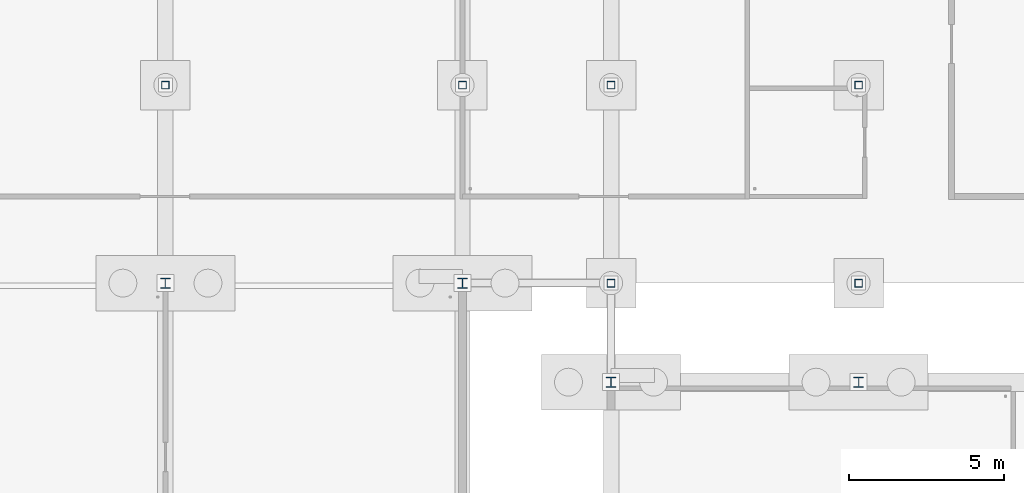
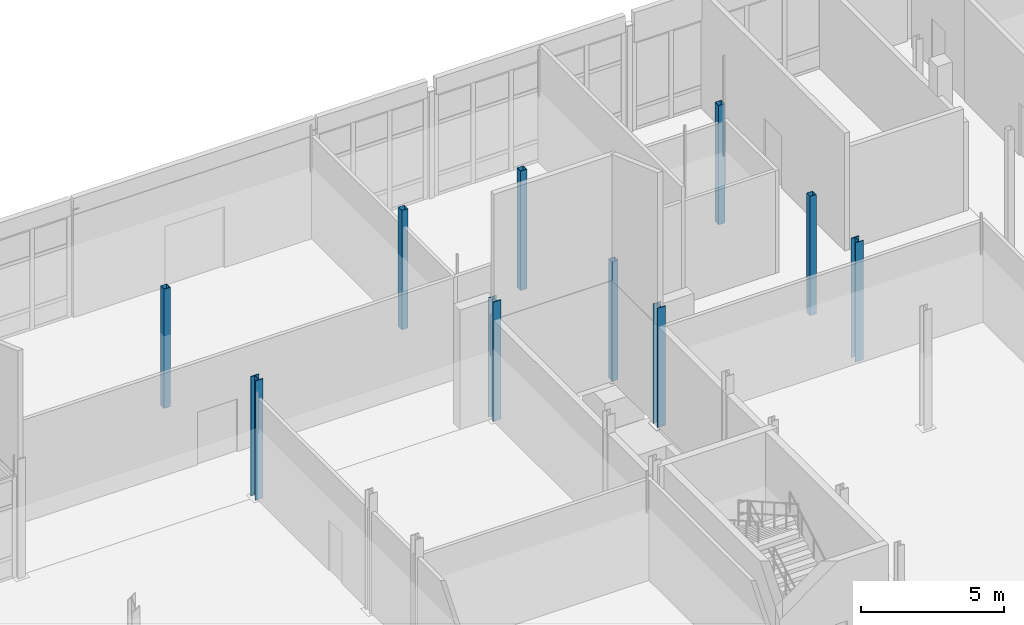
# One storey, part 13 of 111: 10 columns.
"""IFC4 building model written with IfcOpenShell, lengths in metres."""

import ifcopenshell
import ifcopenshell.guid

model = None  # the IFC model being written
_history = None  # IfcOwnerHistory: only IFC2X3 demands one
_inside = {}  # id of a spatial element -> (the spatial element, [elements in it])
_under = {}  # id of a project, library or spatial element -> (it, [spatial elements below it])
_declared = {}  # id of a project -> (the project, [libraries it declares])
_typed = {}  # id of a type object -> (the type object, [elements of that type])
_made_of = {}  # id of a material, layer set ... -> (it, [elements and type objects made of it])


def new_model(schema):
    """Start an empty IFC model of exactly this schema.

    Asked for "IFC4X3", IfcOpenShell would pick the latest addendum, in which some entities
    have other attributes; the version numbers below select the first issue.
    IFC2X3 requires an IfcOwnerHistory on every rooted entity: one is made here for all.
    """
    global model, _history
    if schema == "IFC4X3":
        model = ifcopenshell.file(schema_version=(4, 3, 0, 0))
    else:
        model = ifcopenshell.file(schema=schema)
    _inside.clear()
    _under.clear()
    _declared.clear()
    _typed.clear()
    _made_of.clear()
    _history = None
    if model.schema == "IFC2X3":
        org = make("IfcOrganization", Name="unknown")
        user = make(
            "IfcPersonAndOrganization",
            ThePerson=make("IfcPerson", FamilyName="unknown"),
            TheOrganization=org,
        )
        app = make(
            "IfcApplication",
            ApplicationDeveloper=org,
            Version="unknown",
            ApplicationFullName="unknown",
            ApplicationIdentifier="unknown",
        )
        _history = make(
            "IfcOwnerHistory",
            OwningUser=user,
            OwningApplication=app,
            ChangeAction="ADDED",
            CreationDate=0,
        )
    return model


def make(cls, **values):
    """One entity of the class cls with the attributes given. An attribute that is None is left unset."""
    return model.create_entity(
        cls, **{name: value for name, value in values.items() if value is not None}
    )


def rooted(cls, **values):
    """An entity with a GlobalId (a new one), such as an element, a storey or a relation."""
    return make(cls, GlobalId=ifcopenshell.guid.new(), OwnerHistory=_history, **values)


def si_unit(unit_type, name, prefix=None):
    """IfcSIUnit, for example si_unit("LENGTHUNIT", "METRE", prefix="MILLI")."""
    return make("IfcSIUnit", UnitType=unit_type, Prefix=prefix, Name=name)


def assignment(units):
    """IfcUnitAssignment: the units of a project."""
    return None if units is None else make("IfcUnitAssignment", Units=units)


def point(xyz):
    """IfcCartesianPoint."""
    return None if xyz is None else make("IfcCartesianPoint", Coordinates=xyz)


def direction(xyz):
    """IfcDirection."""
    return None if xyz is None else make("IfcDirection", DirectionRatios=xyz)


def frame(location, z_axis=None, x_axis=None):
    """IfcAxis2Placement3D, a coordinate frame: its origin and axes. An axis left out is left unset."""
    return make(
        "IfcAxis2Placement3D",
        Location=point(location),
        Axis=direction(z_axis),
        RefDirection=direction(x_axis),
    )


def frame_2d(location, x_axis=None):
    """IfcAxis2Placement2D, a coordinate frame in the plane: its origin and x axis."""
    return make(
        "IfcAxis2Placement2D", Location=point(location), RefDirection=direction(x_axis)
    )


def origin():
    """The frame at (0, 0, 0) with its axes left unset."""
    return frame((0.0, 0.0, 0.0))


def origin_2d():
    """The frame at (0, 0) in the plane with its x axis left unset."""
    return frame_2d((0.0, 0.0))


def place(relative_to, where):
    """IfcLocalPlacement: puts the frame where relative to a parent placement (None: the world)."""
    return make(
        "IfcLocalPlacement", PlacementRelTo=relative_to, RelativePlacement=where
    )


def context(
    kind, dimensions, precision=None, world=None, true_north=None, identifier=None
):
    """IfcGeometricRepresentationContext, for example the 3D "Model" context."""
    return make(
        "IfcGeometricRepresentationContext",
        ContextIdentifier=identifier,
        ContextType=kind,
        CoordinateSpaceDimension=dimensions,
        Precision=precision,
        WorldCoordinateSystem=world,
        TrueNorth=true_north,
    )


def subcontext(parent, identifier, kind, view, scale=None):
    """IfcGeometricRepresentationSubContext, for example "Body" below "Model"."""
    return make(
        "IfcGeometricRepresentationSubContext",
        ContextIdentifier=identifier,
        ContextType=kind,
        ParentContext=parent,
        TargetScale=scale,
        TargetView=view,
    )


def project(units=None, contexts=None):
    """IfcProject with its units and contexts."""
    return rooted(
        "IfcProject",
        Name="project",
        RepresentationContexts=contexts,
        UnitsInContext=assignment(units),
    )


def spatial(cls, under=None, at=None, **own):
    """A site, building, storey or space (cls), placed at a placement, below another one or the project."""
    s = rooted(cls, ObjectPlacement=at, **own)
    if under is not None:
        _under.setdefault(under.id(), (under, []))[1].append(s)
    return s


def profile(cls, at=None, kind="AREA", **sizes):
    """A parametric profile (cls). Its sizes go by their IFC names, for example OverallWidth=200.0."""
    return make(cls, ProfileType=kind, Position=at, **sizes)


def hollow_rectangle(**sizes):
    """IfcRectangleHollowProfileDef."""
    return profile("IfcRectangleHollowProfileDef", **sizes)


def i_section(**sizes):
    """IfcIShapeProfileDef."""
    return profile("IfcIShapeProfileDef", **sizes)


def extrude(swept, where, along, depth):
    """IfcExtrudedAreaSolid: the profile swept, set in the frame where, extruded along a direction by depth."""
    return make(
        "IfcExtrudedAreaSolid",
        SweptArea=swept,
        Position=where,
        ExtrudedDirection=direction(along),
        Depth=depth,
    )


def shape(context_of_items, identifier, shape_type, items):
    """IfcShapeRepresentation: the items that make up one representation, for example the "Body"."""
    return make(
        "IfcShapeRepresentation",
        ContextOfItems=context_of_items,
        RepresentationIdentifier=identifier,
        RepresentationType=shape_type,
        Items=items,
    )


def material(Name=None, Category=None):
    """IfcMaterial."""
    return make("IfcMaterial", Name=Name, Category=Category)


def material_profile(
    of_material, cross_section, Name=None, Category=None, Priority=None
):
    """IfcMaterialProfile: a cross section and its material."""
    return make(
        "IfcMaterialProfile",
        Name=Name,
        Material=of_material,
        Profile=cross_section,
        Priority=Priority,
        Category=Category,
    )


def profile_set(profiles, Name=None, composite=None):
    """IfcMaterialProfileSet."""
    return make(
        "IfcMaterialProfileSet",
        Name=Name,
        MaterialProfiles=profiles,
        CompositeProfile=composite,
    )


def made_of(thing, what):
    """Note that an element or type object is made of a material, layer set ...; save() writes the relation."""
    if what is not None:
        _made_of.setdefault(what.id(), (what, []))[1].append(thing)
    return thing


def type_object(cls, material=None, **own):
    """A type object (cls), such as IfcWallType, which elements share."""
    return made_of(rooted(cls, **own), material)


def element(
    cls,
    number,
    at=None,
    inside=None,
    cuts=None,
    type_object=None,
    material=None,
    context=None,
    identifier="Body",
    shape_type=None,
    held_by="IfcProductDefinitionShape",
    body=None,
    shapes=None,
    **own,
):
    """One element of the class cls, such as IfcWall. Its Tag is "e" and its number.

    at: its placement. inside: the storey or other place that contains it. cuts: it is an
    opening in that element (IfcRelVoidsElement). A single representation is given by context,
    identifier, shape_type and body (its items); several are given by shapes. held_by: the class
    of the entity that holds the representations. save() writes the other relations.
    """
    e = rooted(cls, Tag="e%d" % number, ObjectPlacement=at, **own)
    if body is not None:
        shapes = [shape(context, identifier, shape_type, body)]
    if shapes is not None:
        e.Representation = make(held_by, Representations=shapes)
    if inside is not None:
        _inside.setdefault(inside.id(), (inside, []))[1].append(e)
    if cuts is not None:
        rooted(
            "IfcRelVoidsElement", RelatingBuildingElement=cuts, RelatedOpeningElement=e
        )
    if type_object is not None:
        _typed.setdefault(type_object.id(), (type_object, []))[1].append(e)
    return made_of(e, material)


def aggregate(whole, parts):
    """IfcRelAggregates: a whole, such as a stair, and the parts it consists of."""
    return rooted("IfcRelAggregates", RelatingObject=whole, RelatedObjects=parts)


def save(model, path):
    """Write the relations noted so far, then the file.

    IfcRelAggregates (storeys below a building ...), IfcRelContainedInSpatialStructure (elements
    in a storey), IfcRelDefinesByType, IfcRelAssociatesMaterial and IfcRelDeclares: one each for
    every whole, place, type object, material and project.
    """
    for whole, parts in _under.values():
        aggregate(whole, parts)
    for where, things in _inside.values():
        rooted(
            "IfcRelContainedInSpatialStructure",
            RelatedElements=things,
            RelatingStructure=where,
        )
    for kind, things in _typed.values():
        rooted("IfcRelDefinesByType", RelatedObjects=things, RelatingType=kind)
    for what, things in _made_of.values():
        rooted("IfcRelAssociatesMaterial", RelatedObjects=things, RelatingMaterial=what)
    for by, libraries in _declared.values():
        rooted("IfcRelDeclares", RelatingContext=by, RelatedDefinitions=libraries)
    model.write(path)


model = new_model("IFC4")

# Units and contexts
model_context = context("Model", 3, precision=1e-05, world=origin(), true_north=direction((0.0, 1.0)))
body_context = subcontext(model_context, "Body", "Model", "MODEL_VIEW")
ifc_project = project(units=[si_unit("LENGTHUNIT", "METRE"), si_unit("AREAUNIT", "SQUARE_METRE"), si_unit("VOLUMEUNIT", "CUBIC_METRE"), si_unit("PLANEANGLEUNIT", "RADIAN"), si_unit("MASSUNIT", "GRAM", prefix="KILO")], contexts=[model_context])

# Site, building, storey
site_placement = place(None, origin())
site = spatial("IfcSite", under=ifc_project, at=site_placement, CompositionType="ELEMENT")
building_placement = place(site_placement, origin())
building = spatial("IfcBuilding", under=site, at=building_placement, Name="Dunescarp Central Library", CompositionType="ELEMENT")
storey_placement = place(building_placement, origin())
storey = spatial("IfcBuildingStorey", under=building, at=storey_placement, Name="L00", CompositionType="ELEMENT", Elevation=0.0)

# Columns
ifc_material_1 = material(Name="Steel S355J0", Category="steel")
ifc_material_profile_1 = material_profile(ifc_material_1, hollow_rectangle(XDim=0.25, YDim=0.25, WallThickness=0.010009765625, at=origin_2d()), Name="SHS 250x250x10")
ifc_profile_set_1 = profile_set([ifc_material_profile_1], Name="Steel S355J0")
column_type_1 = type_object("IfcColumnType", Name="STR-COL-SHS250", PredefinedType="COLUMN", material=ifc_profile_set_1)
for number, where, z_axis, x_axis, name in (
    (1, (67.199951171875, 43.199951171875, 0.0), (0.0, 0.0, 1.0), (1.0, 0.0, 0.0), "L00 column CLN-672-432"),
    (2, (76.800048828125, 43.199951171875, 0.0), (0.0, 0.0, 1.0), (1.0, 0.0, 0.0), "L00 column CLN-768-432"),
    (3, (81.60009765625, 36.800048828125, 0.0), (0.0, 0.0, 1.0), (1.0, 0.0, 0.0), "L00 column CLN-816-368"),
    (4, (81.60009765625, 43.199951171875, 0.0), (0.0, 0.0, 1.0), (1.0, 0.0, 0.0), "L00 column CLN-816-432"),
    (5, (89.60009765625, 36.800048828125, 0.0), (0.0, 0.0, 1.0), (1.0, 0.0, 0.0), "L00 column CLN-896-368"),
    (6, (89.60009765625, 43.199951171875, 0.0), (0.0, 0.0, 1.0), (1.0, 0.0, 0.0), "L00 column CLN-896-432"),
):
    element("IfcColumn", number, at=place(storey_placement, frame(where, z_axis=z_axis, x_axis=x_axis)), inside=storey, type_object=column_type_1, Name=name, PredefinedType="COLUMN", context=body_context, shape_type="SweptSolid", body=[
        extrude(hollow_rectangle(XDim=0.25, YDim=0.25, WallThickness=0.010009765625, at=origin_2d()), origin(), (0.0, 0.0, 1.0), 5.10009765625),
    ])
ifc_material_2 = material(Name="Steel S355JR", Category="steel")
ifc_material_profile_2 = material_profile(ifc_material_2, i_section(OverallWidth=0.314453125, OverallDepth=0.33984375, WebThickness=0.01904296875, FlangeThickness=0.031494140625, at=origin_2d()), Name="UC 305x305x198")
ifc_profile_set_2 = profile_set([ifc_material_profile_2], Name="Steel S355JR")
column_type_2 = type_object("IfcColumnType", Name="STR-COL-UC305X198", PredefinedType="COLUMN", material=ifc_profile_set_2)
for number, where, z_axis, x_axis, name in (
    (7, (67.199951171875, 36.800048828125, 0.0), (0.0, 0.0, 1.0), (1.0, 0.0, 0.0), "L00 column V2-672-368"),
    (8, (76.800048828125, 36.800048828125, 0.0), (0.0, 0.0, 1.0), (1.0, 0.0, 0.0), "L00 column V2-768-368"),
    (9, (81.60009765625, 33.60009765625, 0.0), (0.0, 0.0, 1.0), (1.0, 0.0, 0.0), "L00 column V3-816-336"),
    (10, (89.60009765625, 33.60009765625, 0.0), (0.0, 0.0, 1.0), (1.0, 0.0, 0.0), "L00 column V3-896-336"),
):
    element("IfcColumn", number, at=place(storey_placement, frame(where, z_axis=z_axis, x_axis=x_axis)), inside=storey, type_object=column_type_2, Name=name, PredefinedType="COLUMN", context=body_context, shape_type="SweptSolid", body=[
        extrude(i_section(OverallWidth=0.314453125, OverallDepth=0.33984375, WebThickness=0.01904296875, FlangeThickness=0.031494140625, at=origin_2d()), origin(), (0.0, 0.0, 1.0), 5.10009765625),
    ])

save(model, "model.ifc")
